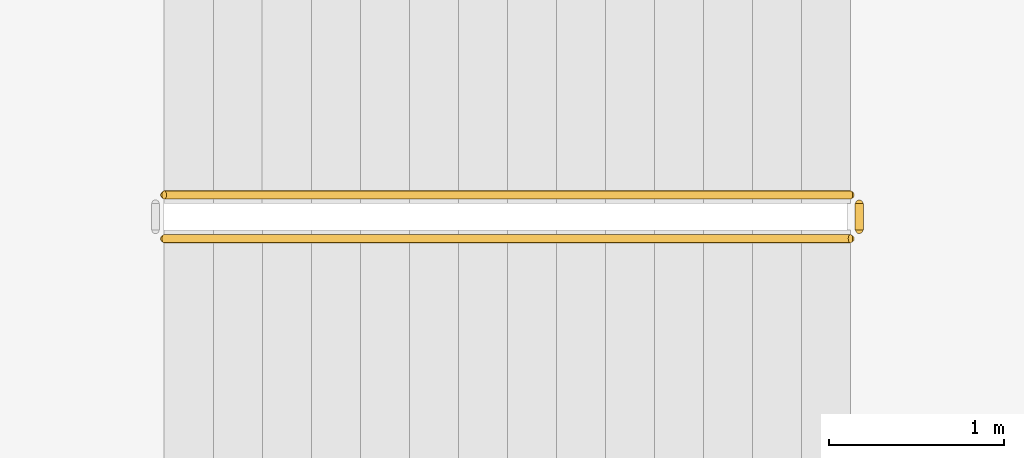
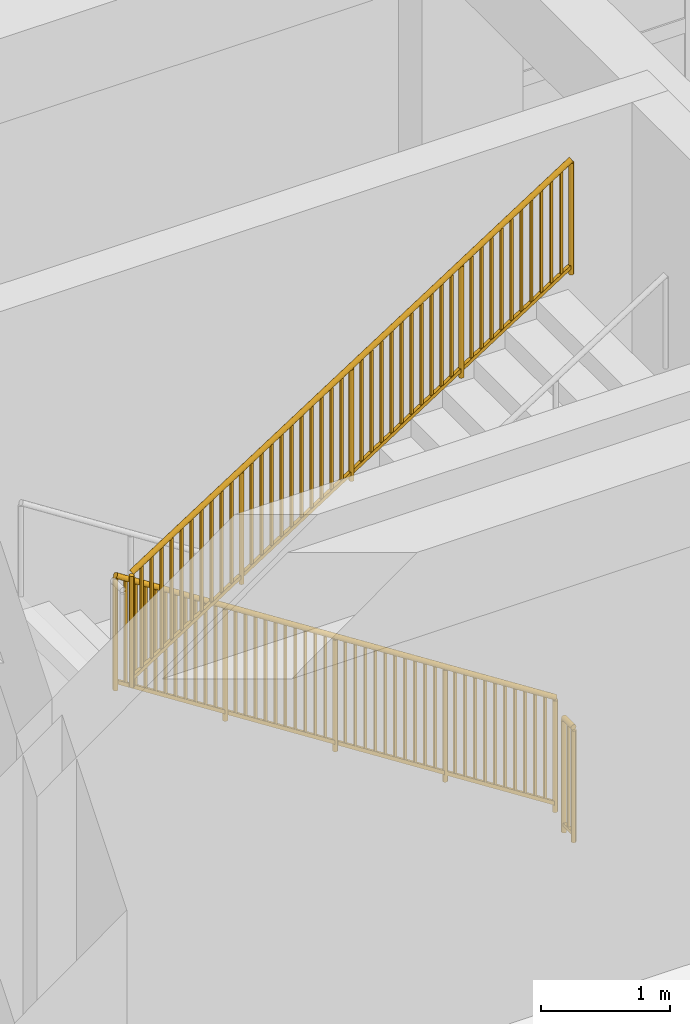
# One storey, part 93 of 95: 3 railings.
"""IFC4 building model written with IfcOpenShell, lengths in metres."""

from ifc_helpers import new_model, si_unit, direction, frame, origin, origin_2d, place, context, subcontext, project, spatial, rectangle, circle, extrude, material, type_object, element, save


model = new_model("IFC4")

# Units and contexts
model_context = context("Model", 3, precision=1e-05, world=origin(), true_north=direction((0.0, 1.0)))
body_context = subcontext(model_context, "Body", "Model", "MODEL_VIEW")
ifc_project = project(units=[si_unit("LENGTHUNIT", "METRE"), si_unit("AREAUNIT", "SQUARE_METRE"), si_unit("VOLUMEUNIT", "CUBIC_METRE"), si_unit("PLANEANGLEUNIT", "RADIAN"), si_unit("MASSUNIT", "GRAM", prefix="KILO")], contexts=[model_context])

# Site, building, storey
site_placement = place(None, origin())
site = spatial("IfcSite", under=ifc_project, at=site_placement, CompositionType="ELEMENT")
building_placement = place(site_placement, origin())
building = spatial("IfcBuilding", under=site, at=building_placement, Name="Zantavel Square City Hall", CompositionType="ELEMENT")
storey_placement = place(building_placement, origin())
storey = spatial("IfcBuildingStorey", under=building, at=storey_placement, Name="L01", CompositionType="ELEMENT", Elevation=0.0)

# Railings
ifc_material = material(Name="Steel ASTM A500 Grade B", Category="steel")
railing_type = type_object("IfcRailingType", Name="Atrium & Gallery Steel Guard Railing 1100mm", PredefinedType="GUARDRAIL", material=ifc_material)
railing_1_placement = place(storey_placement, frame((101.969970703125, 63.159912109375, 0.179931640625)))
element("IfcRailing", 1, at=railing_1_placement, inside=storey, type_object=railing_type, Name="L01 ST6 stair guard 1", PredefinedType="GUARDRAIL", context=body_context, shape_type="SweptSolid", body=[
    extrude(circle(Radius=0.02392578125, at=origin_2d()), frame((0.0, 0.0, 1.076171875), z_axis=(-0.841171666519, 0.0, 0.540768182723), x_axis=(0.0, -1.0, 0.0)), (0.0, 0.0, 1.0), 4.66015625),
    extrude(rectangle(XDim=0.031982421875, YDim=0.031982421875, at=origin_2d()), frame((0.0, 0.0, 0.080078125), z_axis=(-0.841171666519, 0.0, 0.540768182723), x_axis=(0.0, -1.0, 0.0)), (0.0, 0.0, 1.0), 4.66015625),
    extrude(rectangle(XDim=0.02197265625, YDim=0.02197265625, at=origin_2d()), frame((-0.089111328125, 0.0, 0.13720703125)), (0.0, 0.0, 1.0), 0.971923828125),
    extrude(rectangle(XDim=0.02197265625, YDim=0.02197265625, at=origin_2d()), frame((-0.17822265625, 0.0, 0.194580078125)), (0.0, 0.0, 1.0), 0.971923828125),
    extrude(rectangle(XDim=0.02197265625, YDim=0.02197265625, at=origin_2d()), frame((-0.267333984375, 0.0, 0.251708984375)), (0.0, 0.0, 1.0), 0.971923828125),
    extrude(rectangle(XDim=0.02197265625, YDim=0.02197265625, at=origin_2d()), frame((-0.3564453125, 0.0, 0.30908203125)), (0.0, 0.0, 1.0), 0.971923828125),
    extrude(rectangle(XDim=0.02197265625, YDim=0.02197265625, at=origin_2d()), frame((-0.445556640625, 0.0, 0.366455078125)), (0.0, 0.0, 1.0), 0.971923828125),
    extrude(rectangle(XDim=0.02197265625, YDim=0.02197265625, at=origin_2d()), frame((-0.534423828125, 0.0, 0.423583984375)), (0.0, 0.0, 1.0), 0.971923828125),
    extrude(rectangle(XDim=0.02197265625, YDim=0.02197265625, at=origin_2d()), frame((-0.62353515625, 0.0, 0.48095703125)), (0.0, 0.0, 1.0), 0.971923828125),
    extrude(rectangle(XDim=0.02197265625, YDim=0.02197265625, at=origin_2d()), frame((-0.712646484375, 0.0, 0.5380859375)), (0.0, 0.0, 1.0), 0.971923828125),
    extrude(rectangle(XDim=0.02197265625, YDim=0.02197265625, at=origin_2d()), frame((-0.8017578125, 0.0, 0.595458984375)), (0.0, 0.0, 1.0), 0.971923828125),
    extrude(rectangle(XDim=0.02197265625, YDim=0.02197265625, at=origin_2d()), frame((-0.890869140625, 0.0, 0.65283203125)), (0.0, 0.0, 1.0), 0.971923828125),
    extrude(rectangle(XDim=0.02197265625, YDim=0.02197265625, at=origin_2d()), frame((-1.069091796875, 0.0, 0.767333984375)), (0.0, 0.0, 1.0), 0.971923828125),
    extrude(rectangle(XDim=0.02197265625, YDim=0.02197265625, at=origin_2d()), frame((-1.158203125, 0.0, 0.824462890625)), (0.0, 0.0, 1.0), 0.971923828125),
    extrude(rectangle(XDim=0.02197265625, YDim=0.02197265625, at=origin_2d()), frame((-1.247314453125, 0.0, 0.8818359375)), (0.0, 0.0, 1.0), 0.971923828125),
    extrude(rectangle(XDim=0.02197265625, YDim=0.02197265625, at=origin_2d()), frame((-1.33642578125, 0.0, 0.939208984375)), (0.0, 0.0, 1.0), 0.971923828125),
    extrude(rectangle(XDim=0.02197265625, YDim=0.02197265625, at=origin_2d()), frame((-1.425537109375, 0.0, 0.996337890625)), (0.0, 0.0, 1.0), 0.971923828125),
    extrude(rectangle(XDim=0.02197265625, YDim=0.02197265625, at=origin_2d()), frame((-1.514404296875, 0.0, 1.0537109375)), (0.0, 0.0, 1.0), 0.971923828125),
    extrude(rectangle(XDim=0.02197265625, YDim=0.02197265625, at=origin_2d()), frame((-1.603515625, 0.0, 1.11083984375)), (0.0, 0.0, 1.0), 0.971923828125),
    extrude(rectangle(XDim=0.02197265625, YDim=0.02197265625, at=origin_2d()), frame((-1.692626953125, 0.0, 1.168212890625)), (0.0, 0.0, 1.0), 0.971923828125),
    extrude(rectangle(XDim=0.02197265625, YDim=0.02197265625, at=origin_2d()), frame((-1.78173828125, 0.0, 1.225341796875)), (0.0, 0.0, 1.0), 0.971923828125),
    extrude(rectangle(XDim=0.02197265625, YDim=0.02197265625, at=origin_2d()), frame((-1.870849609375, 0.0, 1.28271484375)), (0.0, 0.0, 1.0), 0.971923828125),
    extrude(rectangle(XDim=0.02197265625, YDim=0.02197265625, at=origin_2d()), frame((-2.049072265625, 0.0, 1.397216796875)), (0.0, 0.0, 1.0), 0.971923828125),
    extrude(rectangle(XDim=0.02197265625, YDim=0.02197265625, at=origin_2d()), frame((-2.13818359375, 0.0, 1.45458984375)), (0.0, 0.0, 1.0), 0.971923828125),
    extrude(rectangle(XDim=0.02197265625, YDim=0.02197265625, at=origin_2d()), frame((-2.227294921875, 0.0, 1.51171875)), (0.0, 0.0, 1.0), 0.971923828125),
    extrude(rectangle(XDim=0.02197265625, YDim=0.02197265625, at=origin_2d()), frame((-2.31640625, 0.0, 1.569091796875)), (0.0, 0.0, 1.0), 0.971923828125),
    extrude(rectangle(XDim=0.02197265625, YDim=0.02197265625, at=origin_2d()), frame((-2.405517578125, 0.0, 1.62646484375)), (0.0, 0.0, 1.0), 0.971923828125),
    extrude(rectangle(XDim=0.02197265625, YDim=0.02197265625, at=origin_2d()), frame((-2.494384765625, 0.0, 1.68359375)), (0.0, 0.0, 1.0), 0.971923828125),
    extrude(rectangle(XDim=0.02197265625, YDim=0.02197265625, at=origin_2d()), frame((-2.58349609375, 0.0, 1.740966796875)), (0.0, 0.0, 1.0), 0.971923828125),
    extrude(rectangle(XDim=0.02197265625, YDim=0.02197265625, at=origin_2d()), frame((-2.672607421875, 0.0, 1.798095703125)), (0.0, 0.0, 1.0), 0.971923828125),
    extrude(rectangle(XDim=0.02197265625, YDim=0.02197265625, at=origin_2d()), frame((-2.76171875, 0.0, 1.85546875)), (0.0, 0.0, 1.0), 0.971923828125),
    extrude(rectangle(XDim=0.02197265625, YDim=0.02197265625, at=origin_2d()), frame((-2.850830078125, 0.0, 1.912841796875)), (0.0, 0.0, 1.0), 0.971923828125),
    extrude(rectangle(XDim=0.02197265625, YDim=0.02197265625, at=origin_2d()), frame((-3.029052734375, 0.0, 2.02734375)), (0.0, 0.0, 1.0), 0.971923828125),
    extrude(rectangle(XDim=0.02197265625, YDim=0.02197265625, at=origin_2d()), frame((-3.1181640625, 0.0, 2.08447265625)), (0.0, 0.0, 1.0), 0.971923828125),
    extrude(rectangle(XDim=0.02197265625, YDim=0.02197265625, at=origin_2d()), frame((-3.207275390625, 0.0, 2.141845703125)), (0.0, 0.0, 1.0), 0.971923828125),
    extrude(rectangle(XDim=0.02197265625, YDim=0.02197265625, at=origin_2d()), frame((-3.29638671875, 0.0, 2.19921875)), (0.0, 0.0, 1.0), 0.971923828125),
    extrude(rectangle(XDim=0.02197265625, YDim=0.02197265625, at=origin_2d()), frame((-3.385498046875, 0.0, 2.25634765625)), (0.0, 0.0, 1.0), 0.971923828125),
    extrude(rectangle(XDim=0.02197265625, YDim=0.02197265625, at=origin_2d()), frame((-3.474365234375, 0.0, 2.313720703125)), (0.0, 0.0, 1.0), 0.971923828125),
    extrude(rectangle(XDim=0.02197265625, YDim=0.02197265625, at=origin_2d()), frame((-3.5634765625, 0.0, 2.370849609375)), (0.0, 0.0, 1.0), 0.971923828125),
    extrude(rectangle(XDim=0.02197265625, YDim=0.02197265625, at=origin_2d()), frame((-3.652587890625, 0.0, 2.42822265625)), (0.0, 0.0, 1.0), 0.971923828125),
    extrude(rectangle(XDim=0.02197265625, YDim=0.02197265625, at=origin_2d()), frame((-3.74169921875, 0.0, 2.4853515625)), (0.0, 0.0, 1.0), 0.971923828125),
    extrude(rectangle(XDim=0.02197265625, YDim=0.02197265625, at=origin_2d()), frame((-3.830810546875, 0.0, 2.542724609375)), (0.0, 0.0, 1.0), 0.971923828125),
    extrude(circle(Radius=0.02099609375, at=origin_2d()), origin(), (0.0, 0.0, 1.0), 1.052001953125),
    extrude(circle(Radius=0.02099609375, at=origin_2d()), frame((-0.97998046875, 0.0, 0.6298828125)), (0.0, 0.0, 1.0), 1.052001953125),
    extrude(circle(Radius=0.02099609375, at=origin_2d()), frame((-1.9599609375, 0.0, 1.260009765625)), (0.0, 0.0, 1.0), 1.052001953125),
    extrude(circle(Radius=0.02099609375, at=origin_2d()), frame((-2.93994140625, 0.0, 1.89013671875)), (0.0, 0.0, 1.0), 1.052001953125),
    extrude(circle(Radius=0.02099609375, at=origin_2d()), frame((-3.919921875, 0.0, 2.52001953125)), (0.0, 0.0, 1.0), 1.052001953125),
])
railing_2_placement = place(storey_placement, frame((98.050048828125, 62.909912109375, 2.8798828125)))
element("IfcRailing", 2, at=railing_2_placement, inside=storey, type_object=railing_type, Name="L01 ST6 stair guard 3", PredefinedType="GUARDRAIL", context=body_context, shape_type="SweptSolid", body=[
    extrude(circle(Radius=0.02392578125, at=origin_2d()), frame((0.0, 0.0, 1.076171875), z_axis=(0.841171666519, 0.0, 0.540768182723), x_axis=(0.0, 1.0, 0.0)), (0.0, 0.0, 1.0), 4.66015625),
    extrude(rectangle(XDim=0.031982421875, YDim=0.031982421875, at=origin_2d()), frame((0.0, 0.0, 0.080078125), z_axis=(0.841171666519, 0.0, 0.540768182723), x_axis=(0.0, 1.0, 0.0)), (0.0, 0.0, 1.0), 4.66015625),
    extrude(rectangle(XDim=0.02197265625, YDim=0.02197265625, at=origin_2d()), frame((0.089111328125, 0.0, 0.13720703125)), (0.0, 0.0, 1.0), 0.971923828125),
    extrude(rectangle(XDim=0.02197265625, YDim=0.02197265625, at=origin_2d()), frame((0.17822265625, 0.0, 0.194580078125)), (0.0, 0.0, 1.0), 0.971923828125),
    extrude(rectangle(XDim=0.02197265625, YDim=0.02197265625, at=origin_2d()), frame((0.267333984375, 0.0, 0.251708984375)), (0.0, 0.0, 1.0), 0.971923828125),
    extrude(rectangle(XDim=0.02197265625, YDim=0.02197265625, at=origin_2d()), frame((0.3564453125, 0.0, 0.30908203125)), (0.0, 0.0, 1.0), 0.971923828125),
    extrude(rectangle(XDim=0.02197265625, YDim=0.02197265625, at=origin_2d()), frame((0.445556640625, 0.0, 0.366455078125)), (0.0, 0.0, 1.0), 0.971923828125),
    extrude(rectangle(XDim=0.02197265625, YDim=0.02197265625, at=origin_2d()), frame((0.534423828125, 0.0, 0.423583984375)), (0.0, 0.0, 1.0), 0.971923828125),
    extrude(rectangle(XDim=0.02197265625, YDim=0.02197265625, at=origin_2d()), frame((0.62353515625, 0.0, 0.48095703125)), (0.0, 0.0, 1.0), 0.971923828125),
    extrude(rectangle(XDim=0.02197265625, YDim=0.02197265625, at=origin_2d()), frame((0.712646484375, 0.0, 0.5380859375)), (0.0, 0.0, 1.0), 0.971923828125),
    extrude(rectangle(XDim=0.02197265625, YDim=0.02197265625, at=origin_2d()), frame((0.8017578125, 0.0, 0.595458984375)), (0.0, 0.0, 1.0), 0.971923828125),
    extrude(rectangle(XDim=0.02197265625, YDim=0.02197265625, at=origin_2d()), frame((0.890869140625, 0.0, 0.65283203125)), (0.0, 0.0, 1.0), 0.971923828125),
    extrude(rectangle(XDim=0.02197265625, YDim=0.02197265625, at=origin_2d()), frame((1.069091796875, 0.0, 0.767333984375)), (0.0, 0.0, 1.0), 0.971923828125),
    extrude(rectangle(XDim=0.02197265625, YDim=0.02197265625, at=origin_2d()), frame((1.158203125, 0.0, 0.824462890625)), (0.0, 0.0, 1.0), 0.971923828125),
    extrude(rectangle(XDim=0.02197265625, YDim=0.02197265625, at=origin_2d()), frame((1.247314453125, 0.0, 0.8818359375)), (0.0, 0.0, 1.0), 0.971923828125),
    extrude(rectangle(XDim=0.02197265625, YDim=0.02197265625, at=origin_2d()), frame((1.33642578125, 0.0, 0.939208984375)), (0.0, 0.0, 1.0), 0.971923828125),
    extrude(rectangle(XDim=0.02197265625, YDim=0.02197265625, at=origin_2d()), frame((1.425537109375, 0.0, 0.996337890625)), (0.0, 0.0, 1.0), 0.971923828125),
    extrude(rectangle(XDim=0.02197265625, YDim=0.02197265625, at=origin_2d()), frame((1.514404296875, 0.0, 1.0537109375)), (0.0, 0.0, 1.0), 0.971923828125),
    extrude(rectangle(XDim=0.02197265625, YDim=0.02197265625, at=origin_2d()), frame((1.603515625, 0.0, 1.11083984375)), (0.0, 0.0, 1.0), 0.971923828125),
    extrude(rectangle(XDim=0.02197265625, YDim=0.02197265625, at=origin_2d()), frame((1.692626953125, 0.0, 1.168212890625)), (0.0, 0.0, 1.0), 0.971923828125),
    extrude(rectangle(XDim=0.02197265625, YDim=0.02197265625, at=origin_2d()), frame((1.78173828125, 0.0, 1.225341796875)), (0.0, 0.0, 1.0), 0.971923828125),
    extrude(rectangle(XDim=0.02197265625, YDim=0.02197265625, at=origin_2d()), frame((1.870849609375, 0.0, 1.28271484375)), (0.0, 0.0, 1.0), 0.971923828125),
    extrude(rectangle(XDim=0.02197265625, YDim=0.02197265625, at=origin_2d()), frame((2.049072265625, 0.0, 1.397216796875)), (0.0, 0.0, 1.0), 0.971923828125),
    extrude(rectangle(XDim=0.02197265625, YDim=0.02197265625, at=origin_2d()), frame((2.13818359375, 0.0, 1.45458984375)), (0.0, 0.0, 1.0), 0.971923828125),
    extrude(rectangle(XDim=0.02197265625, YDim=0.02197265625, at=origin_2d()), frame((2.227294921875, 0.0, 1.51171875)), (0.0, 0.0, 1.0), 0.971923828125),
    extrude(rectangle(XDim=0.02197265625, YDim=0.02197265625, at=origin_2d()), frame((2.31640625, 0.0, 1.569091796875)), (0.0, 0.0, 1.0), 0.971923828125),
    extrude(rectangle(XDim=0.02197265625, YDim=0.02197265625, at=origin_2d()), frame((2.405517578125, 0.0, 1.62646484375)), (0.0, 0.0, 1.0), 0.971923828125),
    extrude(rectangle(XDim=0.02197265625, YDim=0.02197265625, at=origin_2d()), frame((2.494384765625, 0.0, 1.68359375)), (0.0, 0.0, 1.0), 0.971923828125),
    extrude(rectangle(XDim=0.02197265625, YDim=0.02197265625, at=origin_2d()), frame((2.58349609375, 0.0, 1.740966796875)), (0.0, 0.0, 1.0), 0.971923828125),
    extrude(rectangle(XDim=0.02197265625, YDim=0.02197265625, at=origin_2d()), frame((2.672607421875, 0.0, 1.798095703125)), (0.0, 0.0, 1.0), 0.971923828125),
    extrude(rectangle(XDim=0.02197265625, YDim=0.02197265625, at=origin_2d()), frame((2.76171875, 0.0, 1.85546875)), (0.0, 0.0, 1.0), 0.971923828125),
    extrude(rectangle(XDim=0.02197265625, YDim=0.02197265625, at=origin_2d()), frame((2.850830078125, 0.0, 1.912841796875)), (0.0, 0.0, 1.0), 0.971923828125),
    extrude(rectangle(XDim=0.02197265625, YDim=0.02197265625, at=origin_2d()), frame((3.029052734375, 0.0, 2.02734375)), (0.0, 0.0, 1.0), 0.971923828125),
    extrude(rectangle(XDim=0.02197265625, YDim=0.02197265625, at=origin_2d()), frame((3.1181640625, 0.0, 2.08447265625)), (0.0, 0.0, 1.0), 0.971923828125),
    extrude(rectangle(XDim=0.02197265625, YDim=0.02197265625, at=origin_2d()), frame((3.207275390625, 0.0, 2.141845703125)), (0.0, 0.0, 1.0), 0.971923828125),
    extrude(rectangle(XDim=0.02197265625, YDim=0.02197265625, at=origin_2d()), frame((3.29638671875, 0.0, 2.19921875)), (0.0, 0.0, 1.0), 0.971923828125),
    extrude(rectangle(XDim=0.02197265625, YDim=0.02197265625, at=origin_2d()), frame((3.385498046875, 0.0, 2.25634765625)), (0.0, 0.0, 1.0), 0.971923828125),
    extrude(rectangle(XDim=0.02197265625, YDim=0.02197265625, at=origin_2d()), frame((3.474365234375, 0.0, 2.313720703125)), (0.0, 0.0, 1.0), 0.971923828125),
    extrude(rectangle(XDim=0.02197265625, YDim=0.02197265625, at=origin_2d()), frame((3.5634765625, 0.0, 2.370849609375)), (0.0, 0.0, 1.0), 0.971923828125),
    extrude(rectangle(XDim=0.02197265625, YDim=0.02197265625, at=origin_2d()), frame((3.652587890625, 0.0, 2.42822265625)), (0.0, 0.0, 1.0), 0.971923828125),
    extrude(rectangle(XDim=0.02197265625, YDim=0.02197265625, at=origin_2d()), frame((3.74169921875, 0.0, 2.4853515625)), (0.0, 0.0, 1.0), 0.971923828125),
    extrude(rectangle(XDim=0.02197265625, YDim=0.02197265625, at=origin_2d()), frame((3.830810546875, 0.0, 2.542724609375)), (0.0, 0.0, 1.0), 0.971923828125),
    extrude(circle(Radius=0.02099609375, at=origin_2d()), origin(), (0.0, 0.0, 1.0), 1.052001953125),
    extrude(circle(Radius=0.02099609375, at=origin_2d()), frame((0.97998046875, 0.0, 0.6298828125)), (0.0, 0.0, 1.0), 1.052001953125),
    extrude(circle(Radius=0.02099609375, at=origin_2d()), frame((1.9599609375, 0.0, 1.260009765625)), (0.0, 0.0, 1.0), 1.052001953125),
    extrude(circle(Radius=0.02099609375, at=origin_2d()), frame((2.93994140625, 0.0, 1.89013671875)), (0.0, 0.0, 1.0), 1.052001953125),
    extrude(circle(Radius=0.02099609375, at=origin_2d()), frame((3.919921875, 0.0, 2.52001953125)), (0.0, 0.0, 1.0), 1.052001953125),
])
railing_3_placement = place(storey_placement, frame((102.02001953125, 63.110107421875, 0.0)))
element("IfcRailing", 3, at=railing_3_placement, inside=storey, type_object=railing_type, Name="L01 ST6 stair guard 4", PredefinedType="GUARDRAIL", context=body_context, shape_type="SweptSolid", body=[
    extrude(circle(Radius=0.02392578125, at=origin_2d()), frame((0.0, 0.0, 1.076171875), z_axis=(0.0, -1.0, 0.0), x_axis=(1.0, 0.0, 0.0)), (0.0, 0.0, 1.0), 0.150146484375),
    extrude(rectangle(XDim=0.031982421875, YDim=0.031982421875, at=origin_2d()), frame((0.0, 0.0, 0.080078125), z_axis=(0.0, -1.0, 0.0), x_axis=(1.0, 0.0, 0.0)), (0.0, 0.0, 1.0), 0.150146484375),
    extrude(rectangle(XDim=0.02197265625, YDim=0.02197265625, at=origin_2d()), frame((0.0, -0.0751953125, 0.080078125)), (0.0, 0.0, 1.0), 0.971923828125),
    extrude(circle(Radius=0.02099609375, at=origin_2d()), origin(), (0.0, 0.0, 1.0), 1.052001953125),
    extrude(circle(Radius=0.02099609375, at=origin_2d()), frame((0.0, -0.150146484375, 0.0)), (0.0, 0.0, 1.0), 1.052001953125),
])

save(model, "model.ifc")
